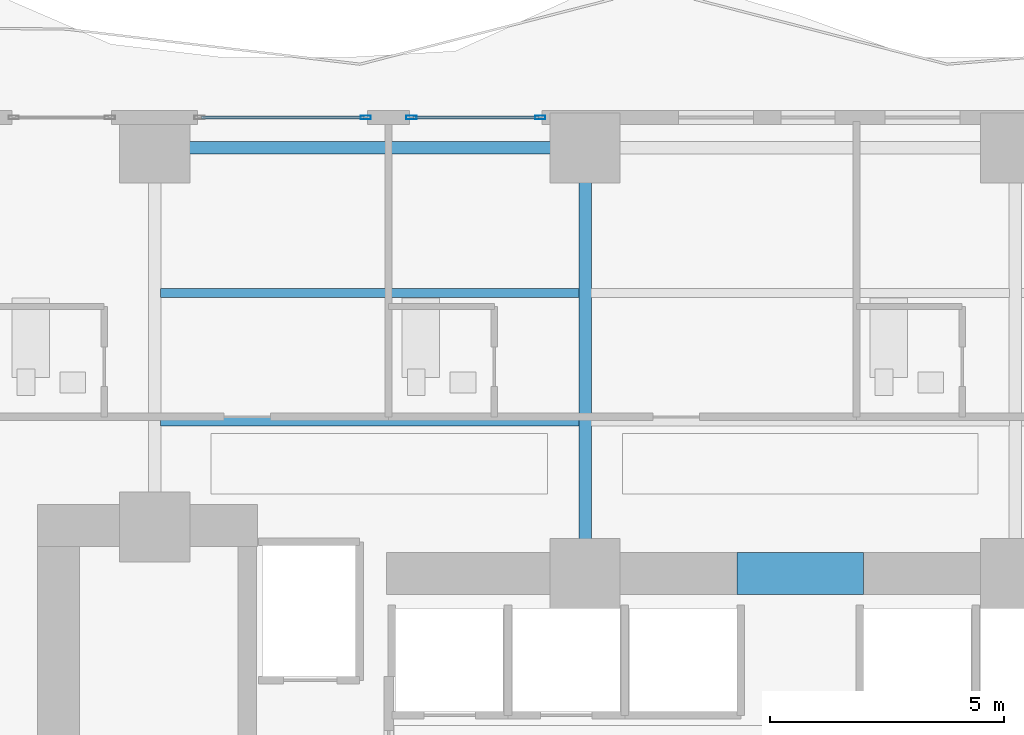
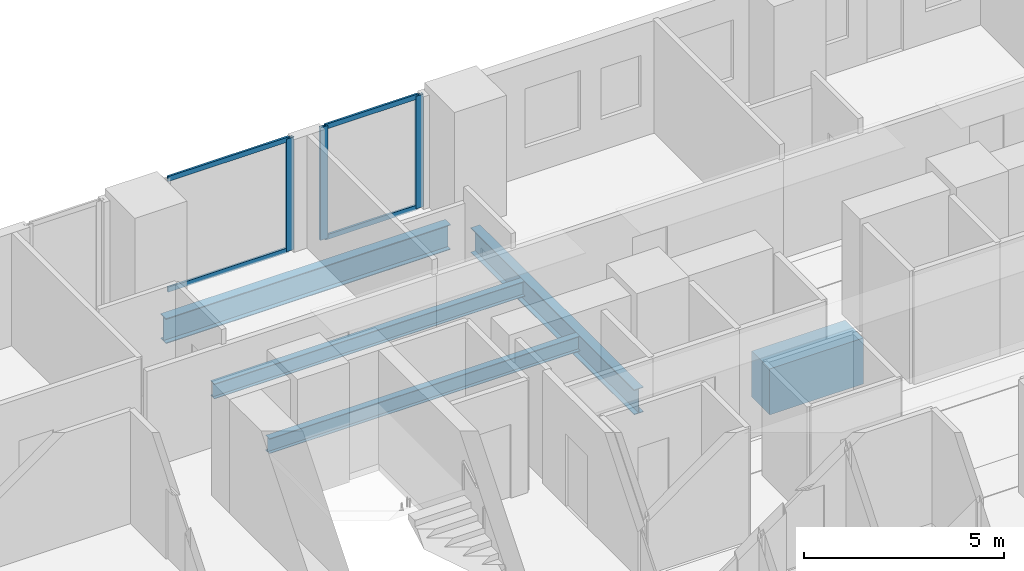
# One storey, part 14 of 29: 7 members, 5 beams, 2 elements without a shape of their own.
"""IFC4 building model written with IfcOpenShell, lengths in metres."""

from ifc_helpers import new_model, si_unit, direction, frame, origin, origin_2d, place, context, subcontext, project, spatial, rectangle, hollow_rectangle, i_section, extrude, material, layer, layer_set, material_profile, profile_set, type_object, element, aggregate, save


model = new_model("IFC4")

# Units and contexts
model_context = context("Model", 3, precision=1e-05, world=origin(), true_north=direction((0.0, 1.0)))
body_context = subcontext(model_context, "Body", "Model", "MODEL_VIEW")
ifc_project = project(units=[si_unit("LENGTHUNIT", "METRE"), si_unit("AREAUNIT", "SQUARE_METRE"), si_unit("VOLUMEUNIT", "CUBIC_METRE"), si_unit("PLANEANGLEUNIT", "RADIAN"), si_unit("MASSUNIT", "GRAM", prefix="KILO")], contexts=[model_context])

# Site, building, storey
site_placement = place(None, origin())
site = spatial("IfcSite", under=ifc_project, at=site_placement, CompositionType="ELEMENT")
building_placement = place(site_placement, origin())
building = spatial("IfcBuilding", under=site, at=building_placement, Name="Zuhayl Quay Hotel", CompositionType="ELEMENT")
storey_placement = place(building_placement, frame((0.0, 0.0, 42.199951171875)))
storey = spatial("IfcBuildingStorey", under=building, at=storey_placement, Name="L09", CompositionType="ELEMENT", Elevation=42.199951171875)

# Beams
ifc_material_1 = material(Name="Steel ASTM A992 Grade 50", Category="steel")
ifc_material_profile_1 = material_profile(ifc_material_1, i_section(OverallWidth=0.26708984375, OverallDepth=0.761962890625, WebThickness=0.014404296875, FlangeThickness=0.021484375, at=origin_2d()), Name="W30X116")
ifc_profile_set_1 = profile_set([ifc_material_profile_1], Name="Steel ASTM A992 Grade 50")
beam_type_1 = type_object("IfcBeamType", Name="BM_B1_W30X116", PredefinedType="BEAM", material=ifc_profile_set_1)
beam_1_placement = place(storey_placement, frame((-5.10009765625, 22.449951171875, -0.600830078125), z_axis=(-1.0, 0.0, 0.0), x_axis=(0.0, -1.0, 0.0)))
element("IfcBeam", 1, at=beam_1_placement, inside=storey, type_object=beam_type_1, Name="L09 Floor Beam RG_L09_09", PredefinedType="BEAM", context=body_context, shape_type="SweptSolid", body=[
    extrude(i_section(OverallWidth=0.26708984375, OverallDepth=0.761962890625, WebThickness=0.014404296875, FlangeThickness=0.021484375, at=origin_2d()), origin(), (0.0, 0.0, 1.0), 8.199951171875),
])
beam_2_placement = place(storey_placement, frame((-4.60009765625, 13.800048828125, -0.600830078125), z_axis=(0.0, 1.0, 0.0), x_axis=(-1.0, 0.0, 0.0)))
element("IfcBeam", 2, at=beam_2_placement, inside=storey, type_object=beam_type_1, Name="L09 Floor Beam FG_N_L09_2", PredefinedType="BEAM", context=body_context, shape_type="SweptSolid", body=[
    extrude(i_section(OverallWidth=0.26708984375, OverallDepth=0.761962890625, WebThickness=0.014404296875, FlangeThickness=0.021484375, at=origin_2d()), origin(), (0.0, 0.0, 1.0), 8.14990234375),
])
ifc_material_2 = material(Name="Concrete C60/75", Category="concrete")
ifc_material_profile_2 = material_profile(ifc_material_2, rectangle(XDim=0.89990234375, YDim=1.39990234375, at=origin_2d()), Name="RC900X1400")
ifc_profile_set_2 = profile_set([ifc_material_profile_2], Name="Concrete C60/75")
beam_type_2 = type_object("IfcBeamType", Name="BM_CB1_RC900", PredefinedType="T_BEAM", material=ifc_profile_set_2)
beam_3_placement = place(storey_placement, frame((-1.35009765625, 13.35009765625, -0.919921875), z_axis=(1.0, 0.0, 0.0), x_axis=(0.0, 1.0, 0.0)))
element("IfcBeam", 3, at=beam_3_placement, inside=storey, type_object=beam_type_2, Name="L09 Core Coupling Beam North", PredefinedType="T_BEAM", context=body_context, shape_type="SweptSolid", body=[
    extrude(rectangle(XDim=0.89990234375, YDim=1.39990234375, at=origin_2d()), origin(), (0.0, 0.0, 1.0), 2.7001953125),
])
ifc_material_profile_3 = material_profile(ifc_material_1, i_section(OverallWidth=0.18994140625, OverallDepth=0.45703125, WebThickness=0.009033203125, FlangeThickness=0.014404296875, at=origin_2d()), Name="W18X50")
ifc_profile_set_3 = profile_set([ifc_material_profile_3], Name="Steel ASTM A992 Grade 50")
beam_type_3 = type_object("IfcBeamType", Name="BM_J2_W18X50", PredefinedType="JOIST", material=ifc_profile_set_3)
for number, where, z_axis, x_axis, name in (
    (4, (-13.674560546875, 16.60009765625, -0.448486328125), (1.0, 0.0, 0.0), (0.0, 1.0, 0.0), "L09 Floor Beam FJ_L09_1_1"),
    (5, (-13.674560546875, 19.35009765625, -0.448486328125), (1.0, 0.0, 0.0), (0.0, 1.0, 0.0), "L09 Floor Beam FJ_L09_2_1"),
):
    element("IfcBeam", number, at=place(storey_placement, frame(where, z_axis=z_axis, x_axis=x_axis)), inside=storey, type_object=beam_type_3, Name=name, PredefinedType="JOIST", context=body_context, shape_type="SweptSolid", body=[
        extrude(i_section(OverallWidth=0.18994140625, OverallDepth=0.45703125, WebThickness=0.009033203125, FlangeThickness=0.014404296875, at=origin_2d()), origin(), (0.0, 0.0, 1.0), 8.948974609375),
    ])

# Curtain wall, member
ifc_material_3 = material(Name="Anodised Aluminium 6063-T6", Category="aluminium")
ifc_layer = layer(ifc_material_3, 0.18994140625, Name="Anodised Aluminium 6063-T6", Category="aluminium")
ifc_layer_set = layer_set([ifc_layer], Name="Anodised Aluminium 6063-T6")
curtain_wall_type = type_object("IfcCurtainWallType", Name="CW_SYS_Z1", PredefinedType="USERDEFINED", material=ifc_layer_set)
curtain_wall_1_placement = place(storey_placement, origin())
curtain_wall_1 = element("IfcCurtainWall", 6, at=curtain_wall_1_placement, inside=storey, type_object=curtain_wall_type, Name="L09 Curtain Wall ENV_L09_N_CW3", ObjectType="UNITISED CURTAIN WALL", PredefinedType="USERDEFINED")
ifc_material_4 = material(Name="Black-anodised aluminium 6063-T6", Category="aluminium")
ifc_material_profile_4 = material_profile(ifc_material_4, hollow_rectangle(XDim=0.074951171875, YDim=0.219970703125, WallThickness=0.00390625, at=origin_2d()), Name="ALU220X75")
ifc_profile_set_4 = profile_set([ifc_material_profile_4], Name="Black-anodised aluminium 6063-T6")
member_type_1 = type_object("IfcMemberType", Name="MB_CW_MUL_220", PredefinedType="MULLION", material=ifc_profile_set_4)
member_1_placement = place(storey_placement, frame((-9.28759765625, 23.10009765625, 0.0), z_axis=(0.0, 0.0, 1.0), x_axis=(0.0, 1.0, 0.0)))
member_1 = element("IfcMember", 7, at=member_1_placement, type_object=member_type_1, Name="CW-Z1 mullion 2", PredefinedType="MULLION", context=body_context, shape_type="SweptSolid", body=[
    extrude(hollow_rectangle(XDim=0.074951171875, YDim=0.219970703125, WallThickness=0.00390625, at=origin_2d()), origin(), (0.0, 0.0, 1.0), 3.429931640625),
])

# Curtain wall, members
curtain_wall_2_placement = place(storey_placement, origin())
curtain_wall_2 = element("IfcCurtainWall", 8, at=curtain_wall_2_placement, inside=storey, type_object=curtain_wall_type, Name="L09 Curtain Wall ENV_L09_N_CW4", ObjectType="UNITISED CURTAIN WALL", PredefinedType="USERDEFINED")
member_2_placement = place(storey_placement, frame((-8.3125, 23.10009765625, 0.0), z_axis=(0.0, 0.0, 1.0), x_axis=(0.0, 1.0, 0.0)))
member_2 = element("IfcMember", 9, at=member_2_placement, type_object=member_type_1, Name="CW-Z1 mullion 1", PredefinedType="MULLION", context=body_context, shape_type="SweptSolid", body=[
    extrude(hollow_rectangle(XDim=0.074951171875, YDim=0.219970703125, WallThickness=0.00390625, at=origin_2d()), origin(), (0.0, 0.0, 1.0), 3.429931640625),
])
member_3_placement = place(storey_placement, frame((-5.5576171875, 23.10009765625, 0.0), z_axis=(0.0, 0.0, 1.0), x_axis=(0.0, 1.0, 0.0)))
member_3 = element("IfcMember", 10, at=member_3_placement, type_object=member_type_1, Name="CW-Z1 mullion 2", PredefinedType="MULLION", context=body_context, shape_type="SweptSolid", body=[
    extrude(hollow_rectangle(XDim=0.074951171875, YDim=0.219970703125, WallThickness=0.00390625, at=origin_2d()), origin(), (0.0, 0.0, 1.0), 3.429931640625),
])

# Member
ifc_material_profile_5 = material_profile(ifc_material_4, hollow_rectangle(XDim=0.06005859375, YDim=0.14990234375, WallThickness=0.00341796875, at=origin_2d()), Name="ALU150X60")
ifc_profile_set_5 = profile_set([ifc_material_profile_5], Name="Black-anodised aluminium 6063-T6")
member_type_2 = type_object("IfcMemberType", Name="MB_CW_TRN_150", PredefinedType="USERDEFINED", material=ifc_profile_set_5)
member_4_placement = place(storey_placement, frame((-12.804931640625, 23.10009765625, 0.030029296875), z_axis=(1.0, 0.0, 0.0), x_axis=(0.0, 1.0, 0.0)))
member_4 = element("IfcMember", 11, at=member_4_placement, type_object=member_type_2, Name="CW-Z1 transom 1.1", ObjectType="TRANSOM", PredefinedType="USERDEFINED", context=body_context, shape_type="SweptSolid", body=[
    extrude(hollow_rectangle(XDim=0.06005859375, YDim=0.14990234375, WallThickness=0.00341796875, at=origin_2d()), origin(), (0.0, 0.0, 1.0), 3.47998046875),
])

member_5_placement = place(storey_placement, frame((-12.804931640625, 23.10009765625, 3.400146484375), z_axis=(1.0, 0.0, 0.0), x_axis=(0.0, 1.0, 0.0)))
member_5 = element("IfcMember", 12, at=member_5_placement, type_object=member_type_2, Name="CW-Z1 transom 1.2", ObjectType="TRANSOM", PredefinedType="USERDEFINED", context=body_context, shape_type="SweptSolid", body=[
    extrude(hollow_rectangle(XDim=0.06005859375, YDim=0.14990234375, WallThickness=0.00341796875, at=origin_2d()), origin(), (0.0, 0.0, 1.0), 3.47998046875),
])

aggregate(curtain_wall_1, [member_1, member_4, member_5])

member_6_placement = place(storey_placement, frame((-8.27490234375, 23.10009765625, 0.030029296875), z_axis=(1.0, 0.0, 0.0), x_axis=(0.0, 1.0, 0.0)))
member_6 = element("IfcMember", 13, at=member_6_placement, type_object=member_type_2, Name="CW-Z1 transom 1.1", ObjectType="TRANSOM", PredefinedType="USERDEFINED", context=body_context, shape_type="SweptSolid", body=[
    extrude(hollow_rectangle(XDim=0.06005859375, YDim=0.14990234375, WallThickness=0.00341796875, at=origin_2d()), origin(), (0.0, 0.0, 1.0), 2.679931640625),
])

member_7_placement = place(storey_placement, frame((-8.27490234375, 23.10009765625, 3.400146484375), z_axis=(1.0, 0.0, 0.0), x_axis=(0.0, 1.0, 0.0)))
member_7 = element("IfcMember", 14, at=member_7_placement, type_object=member_type_2, Name="CW-Z1 transom 1.2", ObjectType="TRANSOM", PredefinedType="USERDEFINED", context=body_context, shape_type="SweptSolid", body=[
    extrude(hollow_rectangle(XDim=0.06005859375, YDim=0.14990234375, WallThickness=0.00341796875, at=origin_2d()), origin(), (0.0, 0.0, 1.0), 2.679931640625),
])

aggregate(curtain_wall_2, [member_2, member_3, member_6, member_7])

save(model, "model.ifc")
